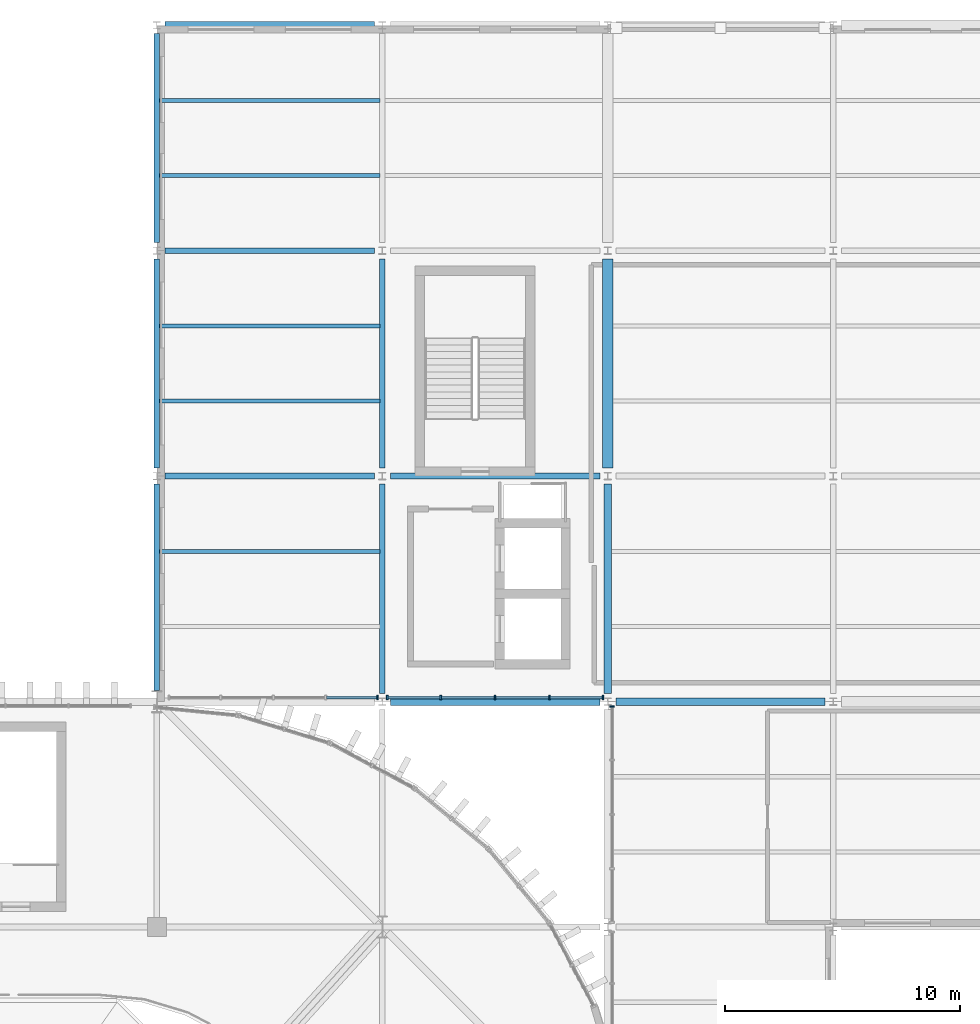
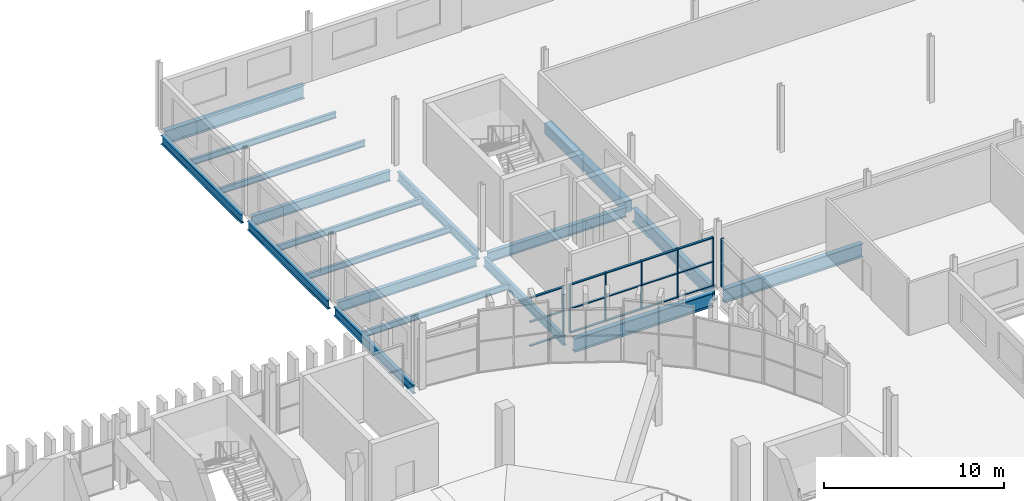
# One storey, part 33 of 69: 22 members, 18 beams, 3 elements without a shape of their own.
"""IFC4 building model written with IfcOpenShell, lengths in metres."""

from ifc_helpers import new_model, si_unit, direction, frame, origin, origin_2d, place, context, subcontext, project, spatial, rectangle, i_section, extrude, material, layer, layer_set, material_profile, profile_set, type_object, element, aggregate, save


model = new_model("IFC4")

# Units and contexts
model_context = context("Model", 3, precision=1e-05, world=origin(), true_north=direction((0.0, 1.0)))
body_context = subcontext(model_context, "Body", "Model", "MODEL_VIEW")
ifc_project = project(units=[si_unit("LENGTHUNIT", "METRE"), si_unit("AREAUNIT", "SQUARE_METRE"), si_unit("VOLUMEUNIT", "CUBIC_METRE"), si_unit("PLANEANGLEUNIT", "RADIAN"), si_unit("MASSUNIT", "GRAM", prefix="KILO")], contexts=[model_context])

# Site, building, storey
site_placement = place(None, origin())
site = spatial("IfcSite", under=ifc_project, at=site_placement, CompositionType="ELEMENT")
building_placement = place(site_placement, origin())
building = spatial("IfcBuilding", under=site, at=building_placement, Name="Caelomonte Colonnade Arena", CompositionType="ELEMENT")
storey_placement = place(building_placement, frame((0.0, 0.0, 18.60009765625)))
storey = spatial("IfcBuildingStorey", under=building, at=storey_placement, Name="L04", CompositionType="ELEMENT", Elevation=18.60009765625)

# Curtain wall, member
ifc_material_1 = material(Name="Bronze anodised aluminium and low-E glazing", Category="aluminium")
ifc_layer = layer(ifc_material_1, 0.179931640625)
ifc_layer_set = layer_set([ifc_layer], Name="Bronze anodised aluminium and low-E glazing")
curtain_wall_type = type_object("IfcCurtainWallType", Name="ENV-CW-CW-L04-96-33", PredefinedType="USERDEFINED", material=ifc_layer_set)
curtain_wall_1_placement = place(storey_placement, origin())
curtain_wall_1 = element("IfcCurtainWall", 1, at=curtain_wall_1_placement, inside=storey, type_object=curtain_wall_type, Name="L04 unitized curtain wall CW-L04-1488-1154", ObjectType="UNITIZED CURTAIN WALL", PredefinedType="USERDEFINED")
ifc_material_2 = material(Name="Bronze anodised aluminium AA6063-T6", Category="aluminium")
ifc_material_profile_1 = material_profile(ifc_material_2, rectangle(XDim=0.070068359375, YDim=0.179931640625, at=origin_2d()), Name="CWM-70X180")
ifc_profile_set_1 = profile_set([ifc_material_profile_1], Name="Bronze anodised aluminium AA6063-T6")
member_type_1 = type_object("IfcMemberType", Name="ENV-CW-MULL1", PredefinedType="MULLION", material=ifc_profile_set_1)
member_1_placement = place(storey_placement, frame((153.39111328125, 115.3798828125, 0.0), z_axis=(0.0, 0.0, 1.0), x_axis=(1.0, 0.0, 0.0)))
member_1 = element("IfcMember", 2, at=member_1_placement, type_object=member_type_1, Name="CW-L04-96-33 mullion 5", PredefinedType="MULLION", context=body_context, shape_type="SweptSolid", body=[
    extrude(rectangle(XDim=0.070068359375, YDim=0.179931640625, at=origin_2d()), origin(), (0.0, 0.0, 1.0), 3.312744140625),
])

# Curtain wall, members
curtain_wall_2_placement = place(storey_placement, origin())
curtain_wall_2 = element("IfcCurtainWall", 3, at=curtain_wall_2_placement, inside=storey, type_object=curtain_wall_type, Name="L04 unitized curtain wall CW-L04-1584-1154", ObjectType="UNITIZED CURTAIN WALL", PredefinedType="USERDEFINED")
member_2_placement = place(storey_placement, frame((153.808837890625, 115.3798828125, 0.0), z_axis=(0.0, 0.0, 1.0), x_axis=(1.0, 0.0, 0.0)))
member_2 = element("IfcMember", 4, at=member_2_placement, type_object=member_type_1, Name="CW-L04-96-33 mullion 1", PredefinedType="MULLION", context=body_context, shape_type="SweptSolid", body=[
    extrude(rectangle(XDim=0.070068359375, YDim=0.179931640625, at=origin_2d()), origin(), (0.0, 0.0, 1.0), 3.312744140625),
])
member_3_placement = place(storey_placement, frame((156.0869140625, 115.3798828125, 0.0), z_axis=(0.0, 0.0, 1.0), x_axis=(1.0, 0.0, 0.0)))
member_3 = element("IfcMember", 5, at=member_3_placement, type_object=member_type_1, Name="CW-L04-96-33 mullion 2", PredefinedType="MULLION", context=body_context, shape_type="SweptSolid", body=[
    extrude(rectangle(XDim=0.070068359375, YDim=0.179931640625, at=origin_2d()), origin(), (0.0, 0.0, 1.0), 3.312744140625),
])
member_4_placement = place(storey_placement, frame((158.39990234375, 115.3798828125, 0.0), z_axis=(0.0, 0.0, 1.0), x_axis=(1.0, 0.0, 0.0)))
member_4 = element("IfcMember", 6, at=member_4_placement, type_object=member_type_1, Name="CW-L04-96-33 mullion 3", PredefinedType="MULLION", context=body_context, shape_type="SweptSolid", body=[
    extrude(rectangle(XDim=0.070068359375, YDim=0.179931640625, at=origin_2d()), origin(), (0.0, 0.0, 1.0), 3.312744140625),
])
member_5_placement = place(storey_placement, frame((160.713134765625, 115.3798828125, 0.0), z_axis=(0.0, 0.0, 1.0), x_axis=(1.0, 0.0, 0.0)))
member_5 = element("IfcMember", 7, at=member_5_placement, type_object=member_type_1, Name="CW-L04-96-33 mullion 4", PredefinedType="MULLION", context=body_context, shape_type="SweptSolid", body=[
    extrude(rectangle(XDim=0.070068359375, YDim=0.179931640625, at=origin_2d()), origin(), (0.0, 0.0, 1.0), 3.312744140625),
])
member_6_placement = place(storey_placement, frame((162.9912109375, 115.3798828125, 0.0), z_axis=(0.0, 0.0, 1.0), x_axis=(1.0, 0.0, 0.0)))
member_6 = element("IfcMember", 8, at=member_6_placement, type_object=member_type_1, Name="CW-L04-96-33 mullion 5", PredefinedType="MULLION", context=body_context, shape_type="SweptSolid", body=[
    extrude(rectangle(XDim=0.070068359375, YDim=0.179931640625, at=origin_2d()), origin(), (0.0, 0.0, 1.0), 3.312744140625),
])

# Curtain wall, member
curtain_wall_3_placement = place(storey_placement, origin())
curtain_wall_3 = element("IfcCurtainWall", 9, at=curtain_wall_3_placement, inside=storey, type_object=curtain_wall_type, Name="L04 unitized curtain wall CW-L04-1634-1104", ObjectType="UNITIZED CURTAIN WALL", PredefinedType="USERDEFINED")
member_7_placement = place(storey_placement, frame((163.3798828125, 114.9912109375, 0.0), z_axis=(0.0, 0.0, 1.0), x_axis=(0.0, -1.0, 0.0)))
member_7 = element("IfcMember", 10, at=member_7_placement, type_object=member_type_1, Name="CW-L04-96-33 mullion 1", PredefinedType="MULLION", context=body_context, shape_type="SweptSolid", body=[
    extrude(rectangle(XDim=0.070068359375, YDim=0.179931640625, at=origin_2d()), origin(), (0.0, 0.0, 1.0), 3.312744140625),
])
aggregate(curtain_wall_3, [member_7])

# Member
ifc_material_profile_2 = material_profile(ifc_material_2, rectangle(XDim=0.070068359375, YDim=0.139892578125, at=origin_2d()), Name="CWT-70X140")
ifc_profile_set_2 = profile_set([ifc_material_profile_2], Name="Bronze anodised aluminium AA6063-T6")
member_type_2 = type_object("IfcMemberType", Name="ENV-CW-TRAN1", PredefinedType="USERDEFINED", material=ifc_profile_set_2)
member_8_placement = place(storey_placement, frame((151.2255859375, 115.3798828125, 0.034912109375), z_axis=(1.0, 0.0, 0.0), x_axis=(0.0, 0.0, 1.0)))
member_8 = element("IfcMember", 11, at=member_8_placement, type_object=member_type_2, Name="CW-L04-96-33 transom 4.1", ObjectType="TRANSOM", PredefinedType="USERDEFINED", context=body_context, shape_type="SweptSolid", body=[
    extrude(rectangle(XDim=0.070068359375, YDim=0.139892578125, at=origin_2d()), origin(), (0.0, 0.0, 1.0), 2.130615234375),
])

member_9_placement = place(storey_placement, frame((151.2255859375, 115.3798828125, 1.65625), z_axis=(1.0, 0.0, 0.0), x_axis=(0.0, 0.0, 1.0)))
member_9 = element("IfcMember", 12, at=member_9_placement, type_object=member_type_2, Name="CW-L04-96-33 transom 4.2", ObjectType="TRANSOM", PredefinedType="USERDEFINED", context=body_context, shape_type="SweptSolid", body=[
    extrude(rectangle(XDim=0.070068359375, YDim=0.139892578125, at=origin_2d()), origin(), (0.0, 0.0, 1.0), 2.130615234375),
])

member_10_placement = place(storey_placement, frame((151.2255859375, 115.3798828125, 3.277587890625), z_axis=(1.0, 0.0, 0.0), x_axis=(0.0, 0.0, 1.0)))
member_10 = element("IfcMember", 13, at=member_10_placement, type_object=member_type_2, Name="CW-L04-96-33 transom 4.3", ObjectType="TRANSOM", PredefinedType="USERDEFINED", context=body_context, shape_type="SweptSolid", body=[
    extrude(rectangle(XDim=0.070068359375, YDim=0.139892578125, at=origin_2d()), origin(), (0.0, 0.0, 1.0), 2.130615234375),
])

aggregate(curtain_wall_1, [member_1, member_8, member_9, member_10])

member_11_placement = place(storey_placement, frame((153.843994140625, 115.3798828125, 0.034912109375), z_axis=(1.0, 0.0, 0.0), x_axis=(0.0, 0.0, 1.0)))
member_11 = element("IfcMember", 14, at=member_11_placement, type_object=member_type_2, Name="CW-L04-96-33 transom 1.1", ObjectType="TRANSOM", PredefinedType="USERDEFINED", context=body_context, shape_type="SweptSolid", body=[
    extrude(rectangle(XDim=0.070068359375, YDim=0.139892578125, at=origin_2d()), origin(), (0.0, 0.0, 1.0), 2.2080078125),
])

member_12_placement = place(storey_placement, frame((153.843994140625, 115.3798828125, 1.65625), z_axis=(1.0, 0.0, 0.0), x_axis=(0.0, 0.0, 1.0)))
member_12 = element("IfcMember", 15, at=member_12_placement, type_object=member_type_2, Name="CW-L04-96-33 transom 1.2", ObjectType="TRANSOM", PredefinedType="USERDEFINED", context=body_context, shape_type="SweptSolid", body=[
    extrude(rectangle(XDim=0.070068359375, YDim=0.139892578125, at=origin_2d()), origin(), (0.0, 0.0, 1.0), 2.2080078125),
])

member_13_placement = place(storey_placement, frame((153.843994140625, 115.3798828125, 3.277587890625), z_axis=(1.0, 0.0, 0.0), x_axis=(0.0, 0.0, 1.0)))
member_13 = element("IfcMember", 16, at=member_13_placement, type_object=member_type_2, Name="CW-L04-96-33 transom 1.3", ObjectType="TRANSOM", PredefinedType="USERDEFINED", context=body_context, shape_type="SweptSolid", body=[
    extrude(rectangle(XDim=0.070068359375, YDim=0.139892578125, at=origin_2d()), origin(), (0.0, 0.0, 1.0), 2.2080078125),
])

member_14_placement = place(storey_placement, frame((156.1220703125, 115.3798828125, 0.034912109375), z_axis=(1.0, 0.0, 0.0), x_axis=(0.0, 0.0, 1.0)))
member_14 = element("IfcMember", 17, at=member_14_placement, type_object=member_type_2, Name="CW-L04-96-33 transom 2.1", ObjectType="TRANSOM", PredefinedType="USERDEFINED", context=body_context, shape_type="SweptSolid", body=[
    extrude(rectangle(XDim=0.070068359375, YDim=0.139892578125, at=origin_2d()), origin(), (0.0, 0.0, 1.0), 2.242919921875),
])

member_15_placement = place(storey_placement, frame((156.1220703125, 115.3798828125, 1.65625), z_axis=(1.0, 0.0, 0.0), x_axis=(0.0, 0.0, 1.0)))
member_15 = element("IfcMember", 18, at=member_15_placement, type_object=member_type_2, Name="CW-L04-96-33 transom 2.2", ObjectType="TRANSOM", PredefinedType="USERDEFINED", context=body_context, shape_type="SweptSolid", body=[
    extrude(rectangle(XDim=0.070068359375, YDim=0.139892578125, at=origin_2d()), origin(), (0.0, 0.0, 1.0), 2.242919921875),
])

member_16_placement = place(storey_placement, frame((156.1220703125, 115.3798828125, 3.277587890625), z_axis=(1.0, 0.0, 0.0), x_axis=(0.0, 0.0, 1.0)))
member_16 = element("IfcMember", 19, at=member_16_placement, type_object=member_type_2, Name="CW-L04-96-33 transom 2.3", ObjectType="TRANSOM", PredefinedType="USERDEFINED", context=body_context, shape_type="SweptSolid", body=[
    extrude(rectangle(XDim=0.070068359375, YDim=0.139892578125, at=origin_2d()), origin(), (0.0, 0.0, 1.0), 2.242919921875),
])

member_17_placement = place(storey_placement, frame((158.43505859375, 115.3798828125, 0.034912109375), z_axis=(1.0, 0.0, 0.0), x_axis=(0.0, 0.0, 1.0)))
member_17 = element("IfcMember", 20, at=member_17_placement, type_object=member_type_2, Name="CW-L04-96-33 transom 3.1", ObjectType="TRANSOM", PredefinedType="USERDEFINED", context=body_context, shape_type="SweptSolid", body=[
    extrude(rectangle(XDim=0.070068359375, YDim=0.139892578125, at=origin_2d()), origin(), (0.0, 0.0, 1.0), 2.242919921875),
])

member_18_placement = place(storey_placement, frame((158.43505859375, 115.3798828125, 1.65625), z_axis=(1.0, 0.0, 0.0), x_axis=(0.0, 0.0, 1.0)))
member_18 = element("IfcMember", 21, at=member_18_placement, type_object=member_type_2, Name="CW-L04-96-33 transom 3.2", ObjectType="TRANSOM", PredefinedType="USERDEFINED", context=body_context, shape_type="SweptSolid", body=[
    extrude(rectangle(XDim=0.070068359375, YDim=0.139892578125, at=origin_2d()), origin(), (0.0, 0.0, 1.0), 2.242919921875),
])

member_19_placement = place(storey_placement, frame((158.43505859375, 115.3798828125, 3.277587890625), z_axis=(1.0, 0.0, 0.0), x_axis=(0.0, 0.0, 1.0)))
member_19 = element("IfcMember", 22, at=member_19_placement, type_object=member_type_2, Name="CW-L04-96-33 transom 3.3", ObjectType="TRANSOM", PredefinedType="USERDEFINED", context=body_context, shape_type="SweptSolid", body=[
    extrude(rectangle(XDim=0.070068359375, YDim=0.139892578125, at=origin_2d()), origin(), (0.0, 0.0, 1.0), 2.242919921875),
])

member_20_placement = place(storey_placement, frame((160.748046875, 115.3798828125, 0.034912109375), z_axis=(1.0, 0.0, 0.0), x_axis=(0.0, 0.0, 1.0)))
member_20 = element("IfcMember", 23, at=member_20_placement, type_object=member_type_2, Name="CW-L04-96-33 transom 4.1", ObjectType="TRANSOM", PredefinedType="USERDEFINED", context=body_context, shape_type="SweptSolid", body=[
    extrude(rectangle(XDim=0.070068359375, YDim=0.139892578125, at=origin_2d()), origin(), (0.0, 0.0, 1.0), 2.2080078125),
])

member_21_placement = place(storey_placement, frame((160.748046875, 115.3798828125, 1.65625), z_axis=(1.0, 0.0, 0.0), x_axis=(0.0, 0.0, 1.0)))
member_21 = element("IfcMember", 24, at=member_21_placement, type_object=member_type_2, Name="CW-L04-96-33 transom 4.2", ObjectType="TRANSOM", PredefinedType="USERDEFINED", context=body_context, shape_type="SweptSolid", body=[
    extrude(rectangle(XDim=0.070068359375, YDim=0.139892578125, at=origin_2d()), origin(), (0.0, 0.0, 1.0), 2.2080078125),
])

member_22_placement = place(storey_placement, frame((160.748046875, 115.3798828125, 3.277587890625), z_axis=(1.0, 0.0, 0.0), x_axis=(0.0, 0.0, 1.0)))
member_22 = element("IfcMember", 25, at=member_22_placement, type_object=member_type_2, Name="CW-L04-96-33 transom 4.3", ObjectType="TRANSOM", PredefinedType="USERDEFINED", context=body_context, shape_type="SweptSolid", body=[
    extrude(rectangle(XDim=0.070068359375, YDim=0.139892578125, at=origin_2d()), origin(), (0.0, 0.0, 1.0), 2.2080078125),
])

aggregate(curtain_wall_2, [member_2, member_3, member_4, member_5, member_6, member_11, member_12, member_13, member_14, member_15, member_16, member_17, member_18, member_19, member_20, member_21, member_22])

# Beams
ifc_material_3 = material(Name="Wide-flange steel ASTM A992 Grade 50", Category="steel")
ifc_material_profile_3 = material_profile(ifc_material_3, i_section(OverallWidth=0.307861328125, OverallDepth=0.927001953125, WebThickness=0.019287109375, FlangeThickness=0.031982421875, FilletRadius=0.020263671875, at=origin_2d()), Name="W36X194")
ifc_profile_set_3 = profile_set([ifc_material_profile_3], Name="Wide-flange steel ASTM A992 Grade 50")
beam_type_1 = type_object("IfcBeamType", Name="STR-BM-EAVES2", PredefinedType="SPANDREL", material=ifc_profile_set_3)
for number, where, z_axis, x_axis, name in (
    (26, (153.94189453125, 115.199951171875, -0.7236328125), (1.0, 0.0, 0.0), (0.0, 1.0, 0.0), "L04 girder BMX-L04-1536-1152"),
    (27, (163.5419921875, 115.199951171875, -0.7236328125), (1.0, 0.0, 0.0), (0.0, 1.0, 0.0), "L04 girder BMX-L04-1632-1152"),
    (28, (144.342041015625, 144.0, -0.7236328125), (1.0, 0.0, 0.0), (0.0, 1.0, 0.0), "L04 girder BMX-L04-1440-1440"),
    (29, (163.199951171875, 115.5419921875, -0.7236328125), (0.0, 1.0, 0.0), (-1.0, 0.0, 0.0), "L04 girder BMY-L04-1632-1152"),
):
    element("IfcBeam", number, at=place(storey_placement, frame(where, z_axis=z_axis, x_axis=x_axis)), inside=storey, type_object=beam_type_1, Name=name, PredefinedType="SPANDREL", context=body_context, shape_type="SweptSolid", body=[
        extrude(i_section(OverallWidth=0.307861328125, OverallDepth=0.927001953125, WebThickness=0.019287109375, FlangeThickness=0.031982421875, FilletRadius=0.020263671875, at=origin_2d()), origin(), (0.0, 0.0, 1.0), 8.916015625),
    ])
ifc_material_profile_4 = material_profile(ifc_material_3, i_section(OverallWidth=0.227783203125, OverallDepth=0.60205078125, WebThickness=0.010498046875, FlangeThickness=0.014892578125, FilletRadius=0.0126953125, at=origin_2d()), Name="W24X68")
ifc_profile_set_4 = profile_set([ifc_material_profile_4], Name="Wide-flange steel ASTM A992 Grade 50")
beam_type_2 = type_object("IfcBeamType", Name="STR-BM-GIRD24B", PredefinedType="SPANDREL", material=ifc_profile_set_4)
beam_1_placement = place(storey_placement, frame((144.0, 115.665771484375, -0.56103515625), z_axis=(0.0, 1.0, 0.0), x_axis=(-1.0, 0.0, 0.0)))
element("IfcBeam", 30, at=beam_1_placement, inside=storey, type_object=beam_type_2, Name="L04 girder BMY-L04-1440-1152", PredefinedType="SPANDREL", context=body_context, shape_type="SweptSolid", body=[
    extrude(i_section(OverallWidth=0.227783203125, OverallDepth=0.60205078125, WebThickness=0.010498046875, FlangeThickness=0.014892578125, FilletRadius=0.0126953125, at=origin_2d()), origin(), (0.0, 0.0, 1.0), 8.792236328125),
])
for number, where, z_axis, x_axis, name in (
    (31, (144.0, 125.14208984375, -0.56103515625), (0.0, 1.0, 0.0), (-1.0, 0.0, 0.0), "L04 girder BMY-L04-1440-1248"),
    (32, (144.0, 134.741943359375, -0.56103515625), (0.0, 1.0, 0.0), (-1.0, 0.0, 0.0), "L04 girder BMY-L04-1440-1344"),
    (33, (153.60009765625, 115.5419921875, -0.56103515625), (0.0, 1.0, 0.0), (-1.0, 0.0, 0.0), "L04 girder BMY-L04-1536-1152"),
    (34, (153.60009765625, 125.14208984375, -0.56103515625), (0.0, 1.0, 0.0), (-1.0, 0.0, 0.0), "L04 girder BMY-L04-1536-1248"),
):
    element("IfcBeam", number, at=place(storey_placement, frame(where, z_axis=z_axis, x_axis=x_axis)), inside=storey, type_object=beam_type_2, Name=name, PredefinedType="SPANDREL", context=body_context, shape_type="SweptSolid", body=[
        extrude(i_section(OverallWidth=0.227783203125, OverallDepth=0.60205078125, WebThickness=0.010498046875, FlangeThickness=0.014892578125, FilletRadius=0.0126953125, at=origin_2d()), origin(), (0.0, 0.0, 1.0), 8.916015625),
    ])
ifc_material_profile_5 = material_profile(ifc_material_3, i_section(OverallWidth=0.253662109375, OverallDepth=0.683349609375, WebThickness=0.012451171875, FlangeThickness=0.018798828125, FilletRadius=0.01513671875, at=origin_2d()), Name="W27X94")
ifc_profile_set_5 = profile_set([ifc_material_profile_5], Name="Wide-flange steel ASTM A992 Grade 50")
beam_type_3 = type_object("IfcBeamType", Name="STR-BM-GIRD27", PredefinedType="BEAM", material=ifc_profile_set_5)
for number, where, z_axis, x_axis, name in (
    (35, (144.342041015625, 124.800048828125, -0.601806640625), (1.0, 0.0, 0.0), (0.0, 1.0, 0.0), "L04 girder BMX-L04-1440-1248"),
    (36, (153.94189453125, 124.800048828125, -0.601806640625), (1.0, 0.0, 0.0), (0.0, 1.0, 0.0), "L04 girder BMX-L04-1536-1248"),
    (37, (144.342041015625, 134.39990234375, -0.601806640625), (1.0, 0.0, 0.0), (0.0, 1.0, 0.0), "L04 girder BMX-L04-1440-1344"),
):
    element("IfcBeam", number, at=place(storey_placement, frame(where, z_axis=z_axis, x_axis=x_axis)), inside=storey, type_object=beam_type_3, Name=name, PredefinedType="BEAM", context=body_context, shape_type="SweptSolid", body=[
        extrude(i_section(OverallWidth=0.253662109375, OverallDepth=0.683349609375, WebThickness=0.012451171875, FlangeThickness=0.018798828125, FilletRadius=0.01513671875, at=origin_2d()), origin(), (0.0, 0.0, 1.0), 8.916015625),
    ])
ifc_material_profile_6 = material_profile(ifc_material_3, i_section(OverallWidth=0.177734375, OverallDepth=0.406494140625, WebThickness=0.0078125, FlangeThickness=0.0126953125, FilletRadius=0.01025390625, at=origin_2d()), Name="W16X40")
ifc_profile_set_6 = profile_set([ifc_material_profile_6], Name="Wide-flange steel ASTM A992 Grade 50")
beam_type_4 = type_object("IfcBeamType", Name="STR-BM-JOIST16", PredefinedType="JOIST", material=ifc_profile_set_6)
for number, where, z_axis, x_axis, name in (
    (38, (144.10888671875, 121.60009765625, -0.46337890625), (1.0, 0.0, 0.0), (0.0, 1.0, 0.0), "L04 secondary joist 2"),
    (39, (144.10888671875, 128.0, -0.46337890625), (1.0, 0.0, 0.0), (0.0, 1.0, 0.0), "L04 secondary joist 1"),
    (40, (144.10888671875, 131.199951171875, -0.46337890625), (1.0, 0.0, 0.0), (0.0, 1.0, 0.0), "L04 secondary joist 2"),
    (41, (144.10888671875, 137.60009765625, -0.46337890625), (1.0, 0.0, 0.0), (0.0, 1.0, 0.0), "L04 secondary joist 1"),
    (42, (144.10888671875, 140.800048828125, -0.46337890625), (1.0, 0.0, 0.0), (0.0, 1.0, 0.0), "L04 secondary joist 2"),
):
    element("IfcBeam", number, at=place(storey_placement, frame(where, z_axis=z_axis, x_axis=x_axis)), inside=storey, type_object=beam_type_4, Name=name, PredefinedType="JOIST", context=body_context, shape_type="SweptSolid", body=[
        extrude(i_section(OverallWidth=0.177734375, OverallDepth=0.406494140625, WebThickness=0.0078125, FlangeThickness=0.0126953125, FilletRadius=0.01025390625, at=origin_2d()), origin(), (0.0, 0.0, 1.0), 9.38232421875),
    ])
ifc_material_4 = material(Name="Concrete C40/50", Category="concrete")
ifc_material_profile_7 = material_profile(ifc_material_4, rectangle(XDim=0.449951171875, YDim=0.75, at=origin_2d()), Name="RC450X750")
ifc_profile_set_7 = profile_set([ifc_material_profile_7], Name="Concrete C40/50")
beam_type_5 = type_object("IfcBeamType", Name="STR-BM-SPAN24", PredefinedType="SPANDREL", material=ifc_profile_set_7)
beam_2_placement = place(storey_placement, frame((163.199951171875, 125.14208984375, -0.635009765625), z_axis=(0.0, 1.0, 0.0), x_axis=(-1.0, 0.0, 0.0)))
element("IfcBeam", 43, at=beam_2_placement, inside=storey, type_object=beam_type_5, Name="L04 girder BMY-L04-1632-1248", PredefinedType="SPANDREL", context=body_context, shape_type="SweptSolid", body=[
    extrude(rectangle(XDim=0.449951171875, YDim=0.75, at=origin_2d()), origin(), (0.0, 0.0, 1.0), 8.916015625),
])

save(model, "model.ifc")
